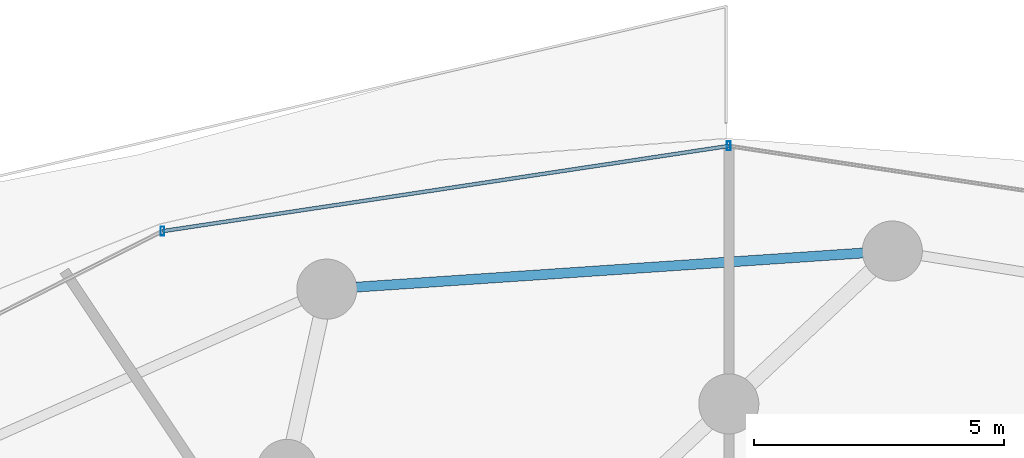
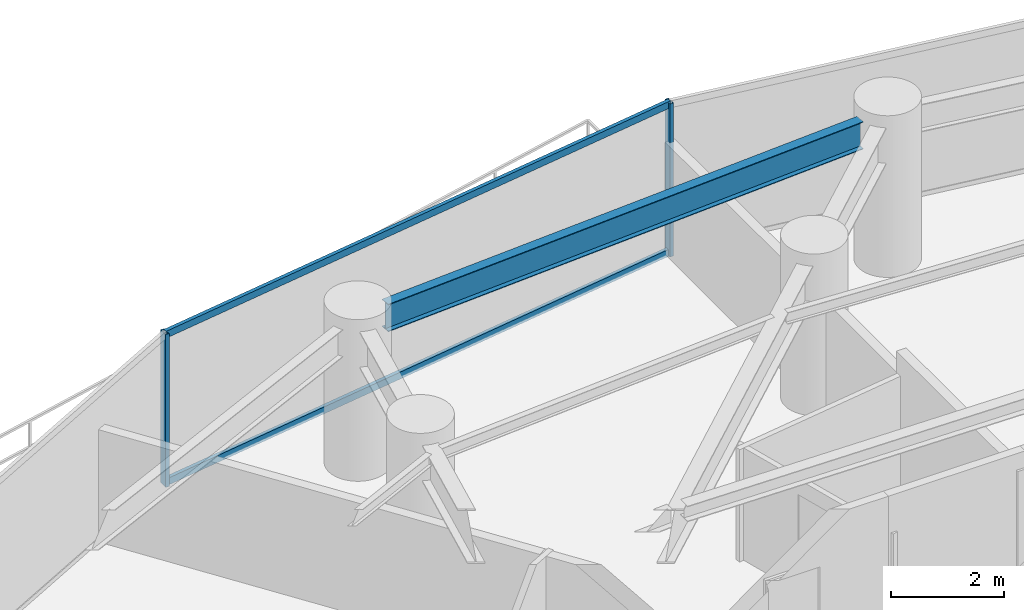
# One storey, part 22 of 35: 4 members, 1 beam, 1 element without a shape of its own.
"""IFC4 building model written with IfcOpenShell, lengths in metres."""

from ifc_helpers import new_model, si_unit, direction, frame, origin, origin_2d, place, context, subcontext, project, spatial, hollow_rectangle, i_section, extrude, material, material_profile, profile_set, type_object, element, aggregate, save


model = new_model("IFC4")

# Units and contexts
model_context = context("Model", 3, precision=1e-05, world=origin(), true_north=direction((0.0, 1.0)))
body_context = subcontext(model_context, "Body", "Model", "MODEL_VIEW")
ifc_project = project(units=[si_unit("LENGTHUNIT", "METRE"), si_unit("AREAUNIT", "SQUARE_METRE"), si_unit("VOLUMEUNIT", "CUBIC_METRE"), si_unit("PLANEANGLEUNIT", "RADIAN"), si_unit("MASSUNIT", "GRAM", prefix="KILO")], contexts=[model_context])

# Site, building, storey
site_placement = place(None, origin())
site = spatial("IfcSite", under=ifc_project, at=site_placement, CompositionType="ELEMENT")
building_placement = place(site_placement, origin())
building = spatial("IfcBuilding", under=site, at=building_placement, Name="Vorneva Point Tower", CompositionType="ELEMENT")
storey_placement = place(building_placement, frame((0.0, 0.0, 48.5)))
storey = spatial("IfcBuildingStorey", under=building, at=storey_placement, Name="L12", CompositionType="ELEMENT", Elevation=48.5)

# Beam
ifc_material_1 = material(Name="Steel S355", Category="steel")
ifc_material_profile_1 = material_profile(ifc_material_1, i_section(OverallWidth=0.198974609375, OverallDepth=0.595947265625, WebThickness=0.010009765625, FlangeThickness=0.014892578125, at=origin_2d()), Name="60B1")
ifc_profile_set_1 = profile_set([ifc_material_profile_1], Name="Steel S355")
beam_type = type_object("IfcBeamType", Name="BM-SPN-60B1", PredefinedType="SPANDREL", material=ifc_profile_set_1)
beam_placement = place(storey_placement, frame((40.681396484375, 46.213134765625, 2.94189453125), z_axis=(-0.997737743222, -0.067226451264, 0.0), x_axis=(0.067226451264, -0.997737743222, 0.0)))
element("IfcBeam", 1, at=beam_placement, inside=storey, type_object=beam_type, Name="L12 Perimeter Spandrel Ring Beam 05", PredefinedType="SPANDREL", context=body_context, shape_type="SweptSolid", body=[
    extrude(i_section(OverallWidth=0.198974609375, OverallDepth=0.595947265625, WebThickness=0.010009765625, FlangeThickness=0.014892578125, at=origin_2d()), origin(), (0.0, 0.0, 1.0), 10.146728515625),
])

# Curtain wall, members
ifc_material_2 = material(Name="Pale anodised aluminium", Category="aluminium")
curtain_wall_type = type_object("IfcCurtainWallType", Name="CW-HTL-SYS", PredefinedType="NOTDEFINED", material=ifc_material_2)
curtain_wall_placement = place(storey_placement, origin())
curtain_wall = element("IfcCurtainWall", 2, at=curtain_wall_placement, inside=storey, type_object=curtain_wall_type, Name="L12 Unitised Curtain Wall CW-L12-R02", PredefinedType="NOTDEFINED")
ifc_material_profile_2 = material_profile(ifc_material_2, hollow_rectangle(XDim=0.074951171875, YDim=0.179931640625, WallThickness=0.00390625, at=origin_2d()), Name="AL-MUL 180x75x4")
ifc_profile_set_2 = profile_set([ifc_material_profile_2], Name="Pale anodised aluminium")
member_type_1 = type_object("IfcMemberType", Name="CW-MUL-180", PredefinedType="MULLION", material=ifc_profile_set_2)
member_1_placement = place(storey_placement, frame((38.0, 48.35009765625, -0.0400390625), z_axis=(0.0, 0.0, 1.0), x_axis=(1.0, 0.0, 0.0)))
member_1 = element("IfcMember", 3, at=member_1_placement, type_object=member_type_1, Name="CW-L12-R02 Mullion 03", PredefinedType="MULLION", context=body_context, shape_type="SweptSolid", body=[
    extrude(hollow_rectangle(XDim=0.074951171875, YDim=0.179931640625, WallThickness=0.00390625, at=origin_2d()), origin(), (0.0, 0.0, 1.0), 3.31005859375),
])
member_2_placement = place(storey_placement, frame((26.691650390625, 46.648681640625, -0.0400390625), z_axis=(0.0, 0.0, 1.0), x_axis=(1.0, 0.0, 0.0)))
member_2 = element("IfcMember", 4, at=member_2_placement, type_object=member_type_1, Name="CW-L12-R02 Mullion 04", PredefinedType="MULLION", context=body_context, shape_type="SweptSolid", body=[
    extrude(hollow_rectangle(XDim=0.074951171875, YDim=0.179931640625, WallThickness=0.00390625, at=origin_2d()), origin(), (0.0, 0.0, 1.0), 3.31005859375),
])
ifc_material_profile_3 = material_profile(ifc_material_2, hollow_rectangle(XDim=0.074951171875, YDim=0.14990234375, WallThickness=0.00390625, at=origin_2d()), Name="AL-TRN 150x75x4")
ifc_profile_set_3 = profile_set([ifc_material_profile_3], Name="Pale anodised aluminium")
member_type_2 = type_object("IfcMemberType", Name="CW-TRN-150", PredefinedType="USERDEFINED", material=ifc_profile_set_3)
member_3_placement = place(storey_placement, frame((38.0, 48.35009765625, 0.02001953125), z_axis=(-0.988870014575, -0.148782036131, 0.0), x_axis=(0.148782036131, -0.988870014575, 0.0)))
member_3 = element("IfcMember", 5, at=member_3_placement, type_object=member_type_2, Name="CW-L12-R02 Transom 03.1", ObjectType="TRANSOM", PredefinedType="USERDEFINED", context=body_context, shape_type="SweptSolid", body=[
    extrude(hollow_rectangle(XDim=0.074951171875, YDim=0.14990234375, WallThickness=0.00390625, at=origin_2d()), origin(), (0.0, 0.0, 1.0), 11.435546875),
])
member_4_placement = place(storey_placement, frame((38.0, 48.35009765625, 3.219970703125), z_axis=(-0.988870014575, -0.148782036131, 0.0), x_axis=(0.148782036131, -0.988870014575, 0.0)))
member_4 = element("IfcMember", 6, at=member_4_placement, type_object=member_type_2, Name="CW-L12-R02 Transom 03.2", ObjectType="TRANSOM", PredefinedType="USERDEFINED", context=body_context, shape_type="SweptSolid", body=[
    extrude(hollow_rectangle(XDim=0.074951171875, YDim=0.14990234375, WallThickness=0.00390625, at=origin_2d()), origin(), (0.0, 0.0, 1.0), 11.435546875),
])
aggregate(curtain_wall, [member_1, member_2, member_3, member_4])

save(model, "model.ifc")
